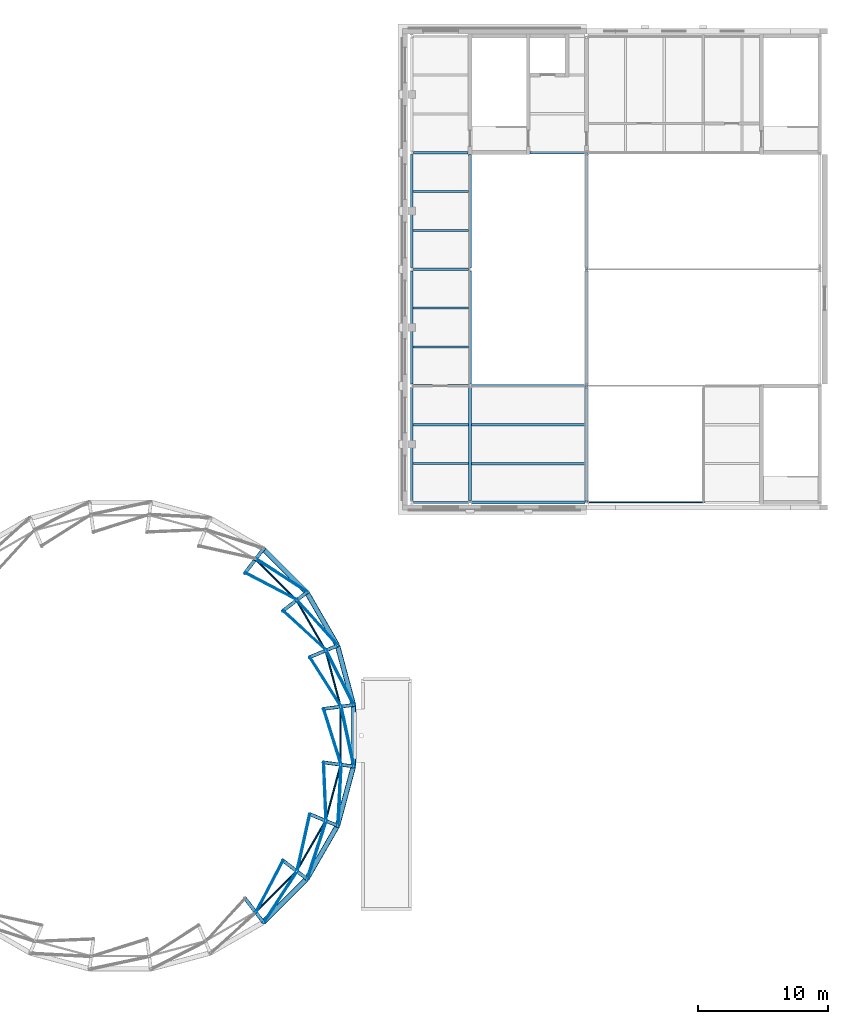
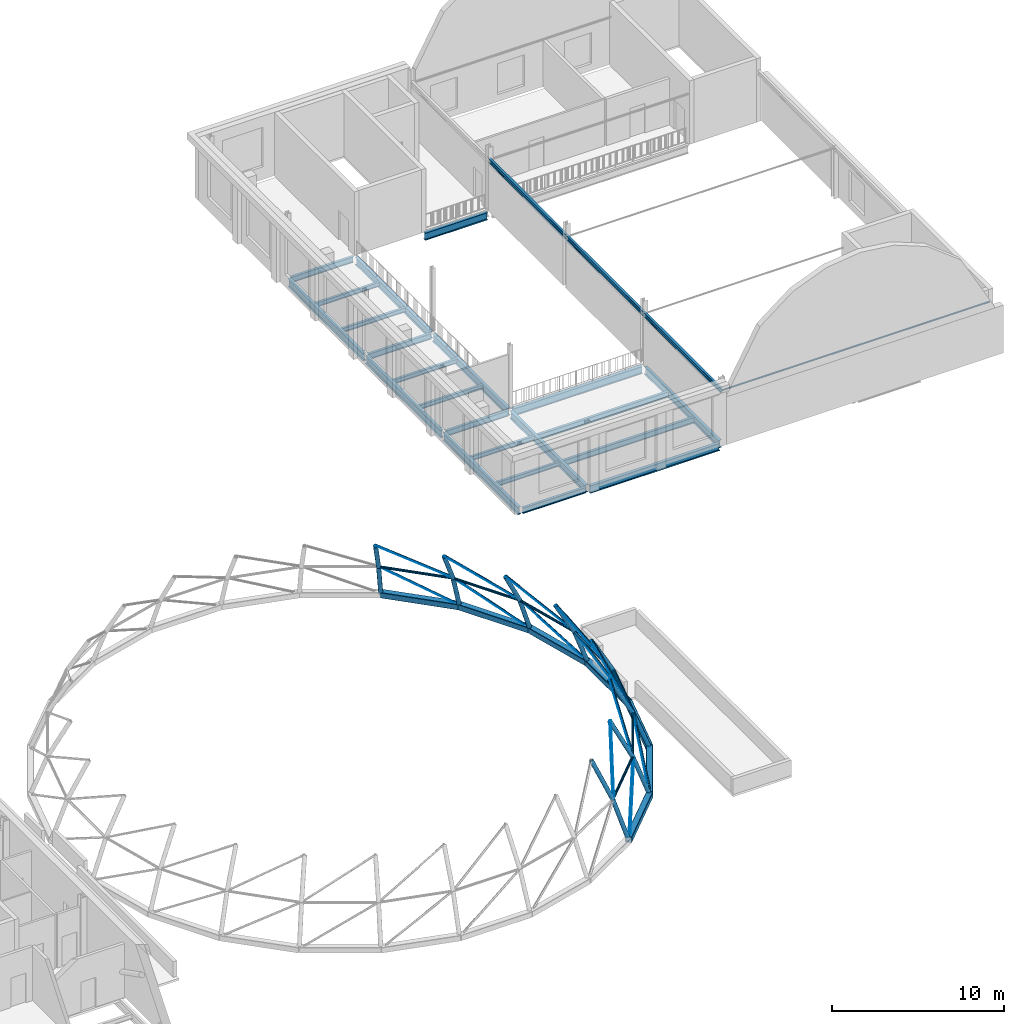
# One storey, part 13 of 59: 48 beams, 36 members.
"""IFC4 building model written with IfcOpenShell, lengths in metres."""

from ifc_helpers import new_model, si_unit, direction, frame, origin, origin_2d, place, context, subcontext, project, spatial, rectangle, hollow_rectangle, circle, hollow_circle, i_section, extrude, material, material_profile, profile_set, type_object, element, save


model = new_model("IFC4")

# Units and contexts
model_context = context("Model", 3, precision=1e-05, world=origin(), true_north=direction((0.0, 1.0)))
body_context = subcontext(model_context, "Body", "Model", "MODEL_VIEW")
ifc_project = project(units=[si_unit("LENGTHUNIT", "METRE"), si_unit("AREAUNIT", "SQUARE_METRE"), si_unit("VOLUMEUNIT", "CUBIC_METRE"), si_unit("PLANEANGLEUNIT", "RADIAN"), si_unit("MASSUNIT", "GRAM", prefix="KILO")], contexts=[model_context])

# Site, building, storey
site_placement = place(None, origin())
site = spatial("IfcSite", under=ifc_project, at=site_placement, CompositionType="ELEMENT")
building_placement = place(site_placement, origin())
building = spatial("IfcBuilding", under=site, at=building_placement, Name="Hortulan Conservatory and Botanical Research Centre", CompositionType="ELEMENT")
storey_placement = place(building_placement, frame((0.0, 0.0, 10.5)))
storey = spatial("IfcBuildingStorey", under=building, at=storey_placement, Name="L02", CompositionType="ELEMENT", Elevation=10.5)

# Members
ifc_material_1 = material(Name="Steel Grade 300PLUS (AS/NZS 3679.1, 280 MPa minimum yield)", Category="steel")
ifc_material_profile_1 = material_profile(ifc_material_1, circle(Radius=0.011962890625, at=origin_2d()), Name="24 dia rod")
ifc_profile_set_1 = profile_set([ifc_material_profile_1], Name="Steel Grade 300PLUS (AS/NZS 3679.1, 280 MPa minimum yield)")
member_type_1 = type_object("IfcMemberType", Name="Dome Diagonal Rod 24 dia rod", PredefinedType="BRACE", material=ifc_profile_set_1)
member_1_placement = place(storey_placement, frame((72.0, 20.36962890625, 0.0), z_axis=(-0.39838537354, 0.780299916715, 0.482100751009), x_axis=(-0.89063561178, -0.45471772236, 0.0)))
element("IfcMember", 1, at=member_1_placement, inside=storey, type_object=member_type_1, Name="Dome diagonal rod row 1 panel 01", PredefinedType="BRACE", context=body_context, shape_type="SweptSolid", body=[
    extrude(circle(Radius=0.011962890625, at=origin_2d()), origin(), (0.0, 0.0, 1.0), 5.380615234375),
])
for number, where, z_axis, x_axis, name in (
    (2, (70.773193359375, 24.94775390625, 0.0), (-0.586755497323, 0.650599359727, 0.482118719284), (-0.742603562999, -0.669731250742, 0.0), "Dome diagonal rod row 1 panel 02"),
    (3, (68.403564453125, 29.05224609375, 0.0), (-0.735153241403, 0.476549555041, 0.482130929567), (-0.543944758675, -0.839121027927, 0.0), "Dome diagonal rod row 1 panel 03"),
    (4, (65.05224609375, 3.596435546875, 0.0), (0.476549555041, 0.735153241403, 0.482130929567), (-0.839121027927, 0.543944758675, 0.0), "Dome diagonal rod row 1 panel 21"),
    (5, (68.403564453125, 6.94775390625, 0.0), (0.27003961921, 0.833442729967, 0.482132575048), (-0.95131192214, 0.308229827879, 0.0), "Dome diagonal rod row 1 panel 22"),
    (6, (70.773193359375, 11.05224609375, 0.0), (0.045149160701, 0.874940820745, 0.482120434624), (-0.998671242499, 0.051533963608, 0.0), "Dome diagonal rod row 1 panel 23"),
    (7, (72.0, 15.63037109375, 0.0), (-0.182868217021, 0.856803393002, 0.482127743388), (-0.977973386326, -0.208729623286, 0.0), "Dome diagonal rod row 1 panel 24"),
):
    element("IfcMember", number, at=place(storey_placement, frame(where, z_axis=z_axis, x_axis=x_axis)), inside=storey, type_object=member_type_1, Name=name, PredefinedType="BRACE", context=body_context, shape_type="SweptSolid", body=[
        extrude(circle(Radius=0.011962890625, at=origin_2d()), origin(), (0.0, 0.0, 1.0), 5.38037109375),
    ])
for number, where, z_axis, x_axis, name in (
    (8, (71.01611328125, 20.240234375, 2.593994140625), (-0.472131619445, 0.743829104226, 0.473085613422), (-0.844285139038, -0.535894209709, 0.0), "Dome diagonal rod row 2 panel 01"),
    (9, (69.8564453125, 24.568115234375, 2.593994140625), (-0.648583748703, 0.596256296153, 0.47309359562), (-0.676785536131, -0.736180234782, 0.0), "Dome diagonal rod row 2 panel 02"),
    (10, (67.6162109375, 28.4482421875, 2.593994140625), (-0.78080618984, 0.408076055598, 0.473091562761), (-0.463189456701, -0.886259288922, 0.0), "Dome diagonal rod row 2 panel 03"),
    (11, (64.4482421875, 4.3837890625, 2.593994140625), (0.408076055598, 0.78080618984, 0.473091562761), (-0.886259288922, 0.463189456701, 0.0), "Dome diagonal rod row 2 panel 21"),
):
    element("IfcMember", number, at=place(storey_placement, frame(where, z_axis=z_axis, x_axis=x_axis)), inside=storey, type_object=member_type_1, Name=name, PredefinedType="BRACE", context=body_context, shape_type="SweptSolid", body=[
        extrude(circle(Radius=0.011962890625, at=origin_2d()), origin(), (0.0, 0.0, 1.0), 5.1181640625),
    ])
member_2_placement = place(storey_placement, frame((67.6162109375, 7.5517578125, 2.593994140625), z_axis=(0.192130404694, 0.859816950102, 0.473075807784), x_axis=(-0.975931609415, 0.218076806986, 0.0)))
element("IfcMember", 12, at=member_2_placement, inside=storey, type_object=member_type_1, Name="Dome diagonal rod row 2 panel 22", PredefinedType="BRACE", context=body_context, shape_type="SweptSolid", body=[
    extrude(circle(Radius=0.011962890625, at=origin_2d()), origin(), (0.0, 0.0, 1.0), 5.118408203125),
])
member_3_placement = place(storey_placement, frame((69.8564453125, 11.431884765625, 2.593994140625), z_axis=(-0.036965399101, 0.880253471503, 0.473061713919), x_axis=(-0.999119414833, -0.041957060227, 0.0)))
element("IfcMember", 13, at=member_3_placement, inside=storey, type_object=member_type_1, Name="Dome diagonal rod row 2 panel 23", PredefinedType="BRACE", context=body_context, shape_type="SweptSolid", body=[
    extrude(circle(Radius=0.011962890625, at=origin_2d()), origin(), (0.0, 0.0, 1.0), 5.11865234375),
])
member_4_placement = place(storey_placement, frame((71.01611328125, 15.759765625, 2.593994140625), z_axis=(-0.263544505751, 0.840671198072, 0.473092200549), x_axis=(-0.954209837917, -0.2991380705, 0.0)))
element("IfcMember", 14, at=member_4_placement, inside=storey, type_object=member_type_1, Name="Dome diagonal rod row 2 panel 24", PredefinedType="BRACE", context=body_context, shape_type="SweptSolid", body=[
    extrude(circle(Radius=0.011962890625, at=origin_2d()), origin(), (0.0, 0.0, 1.0), 5.1181640625),
])
ifc_material_2 = material(Name="Bronze-finished aluminium", Category="aluminium")
ifc_material_profile_2 = material_profile(ifc_material_2, rectangle(XDim=0.050048828125, YDim=0.050048828125, at=origin_2d()), Name="Square bar 50x50")
ifc_profile_set_2 = profile_set([ifc_material_profile_2], Name="Bronze-finished aluminium")
member_type_2 = type_object("IfcMemberType", Name="Dome Glazing Bar 50x50", PredefinedType="MEMBER", material=ifc_profile_set_2)
for number, where, z_axis, x_axis, name in (
    (15, (72.079833984375, 20.380126953125, 0.024169921875), (-0.39834582961, 0.78029343557, 0.482143914655), (-0.890652361373, -0.454684914177, 0.0), "Dome glazing bar row 1 panel 01"),
    (16, (70.847900390625, 24.978515625, 0.024169921875), (-0.586756472413, 0.650586397389, 0.482135024256), (-0.742596373019, -0.669739222965, 0.0), "Dome glazing bar row 1 panel 02"),
):
    element("IfcMember", number, at=place(storey_placement, frame(where, z_axis=z_axis, x_axis=x_axis)), inside=storey, type_object=member_type_2, Name=name, PredefinedType="MEMBER", context=body_context, shape_type="SweptSolid", body=[
        extrude(rectangle(XDim=0.050048828125, YDim=0.050048828125, at=origin_2d()), origin(), (0.0, 0.0, 1.0), 5.404541015625),
    ])
for number, where, z_axis, x_axis, name in (
    (17, (68.467529296875, 29.101318359375, 0.024169921875), (-0.735135560286, 0.476552880566, 0.48215460179), (-0.54395664315, -0.839113323916, 0.0), "Dome glazing bar row 1 panel 03"),
    (18, (65.101318359375, 3.532470703125, 0.024169921875), (0.476552880566, 0.735135560286, 0.48215460179), (-0.839113323916, 0.54395664315, 0.0), "Dome glazing bar row 1 panel 21"),
    (19, (68.467529296875, 6.898681640625, 0.024169921875), (0.270054374867, 0.833428096674, 0.482149605713), (-0.951305396403, 0.308249968004, 0.0), "Dome glazing bar row 1 panel 22"),
):
    element("IfcMember", number, at=place(storey_placement, frame(where, z_axis=z_axis, x_axis=x_axis)), inside=storey, type_object=member_type_2, Name=name, PredefinedType="MEMBER", context=body_context, shape_type="SweptSolid", body=[
        extrude(rectangle(XDim=0.050048828125, YDim=0.050048828125, at=origin_2d()), origin(), (0.0, 0.0, 1.0), 5.404296875),
    ])
member_5_placement = place(storey_placement, frame((70.847900390625, 11.021484375, 0.024169921875), z_axis=(0.045128821976, 0.874929953977, 0.482142059004), x_axis=(-0.998672404089, 0.051511448352, 0.0)))
element("IfcMember", 20, at=member_5_placement, inside=storey, type_object=member_type_2, Name="Dome glazing bar row 1 panel 23", PredefinedType="MEMBER", context=body_context, shape_type="SweptSolid", body=[
    extrude(rectangle(XDim=0.050048828125, YDim=0.050048828125, at=origin_2d()), origin(), (0.0, 0.0, 1.0), 5.404541015625),
])
member_6_placement = place(storey_placement, frame((72.079833984375, 15.619873046875, 0.024169921875), z_axis=(-0.182831845963, 0.856784274449, 0.482175510741), x_axis=(-0.977980909638, -0.208694370752, 0.0)))
element("IfcMember", 21, at=member_6_placement, inside=storey, type_object=member_type_2, Name="Dome glazing bar row 1 panel 24", PredefinedType="MEMBER", context=body_context, shape_type="SweptSolid", body=[
    extrude(rectangle(XDim=0.050048828125, YDim=0.050048828125, at=origin_2d()), origin(), (0.0, 0.0, 1.0), 5.404052734375),
])
for number, where, z_axis, x_axis, name in (
    (22, (71.088134765625, 20.249755859375, 2.628173828125), (-0.472145960158, 0.74384363542, 0.473048452436), (-0.844282511085, -0.535898349948, 0.0), "Dome glazing bar row 2 panel 01"),
    (23, (69.923583984375, 24.595703125, 2.628173828125), (-0.648590311412, 0.596294600473, 0.473036317199), (-0.676805386998, -0.736161984981, 0.0), "Dome glazing bar row 2 panel 02"),
):
    element("IfcMember", number, at=place(storey_placement, frame(where, z_axis=z_axis, x_axis=x_axis)), inside=storey, type_object=member_type_2, Name=name, PredefinedType="MEMBER", context=body_context, shape_type="SweptSolid", body=[
        extrude(rectangle(XDim=0.050048828125, YDim=0.050048828125, at=origin_2d()), origin(), (0.0, 0.0, 1.0), 5.139892578125),
    ])
for number, where, z_axis, x_axis, name in (
    (24, (67.673828125, 28.492431640625, 2.628173828125), (-0.780821287697, 0.408081012447, 0.473062367939), (-0.463186841148, -0.886260655895, 0.0), "Dome glazing bar row 2 panel 03"),
    (25, (64.492431640625, 4.326171875, 2.628173828125), (0.408081012447, 0.780821287697, 0.473062367939), (-0.886260655895, 0.463186841148, 0.0), "Dome glazing bar row 2 panel 21"),
):
    element("IfcMember", number, at=place(storey_placement, frame(where, z_axis=z_axis, x_axis=x_axis)), inside=storey, type_object=member_type_2, Name=name, PredefinedType="MEMBER", context=body_context, shape_type="SweptSolid", body=[
        extrude(rectangle(XDim=0.050048828125, YDim=0.050048828125, at=origin_2d()), origin(), (0.0, 0.0, 1.0), 5.1396484375),
    ])
for number, where, z_axis, x_axis, name in (
    (26, (67.673828125, 7.507568359375, 2.628173828125), (0.192134722647, 0.859832570914, 0.473045662012), (-0.975931409542, 0.218077701447, 0.0), "Dome glazing bar row 2 panel 22"),
    (27, (69.923583984375, 11.404296875, 2.628173828125), (-0.037002072154, 0.880259821763, 0.473047030269), (-0.999117681751, -0.041998309631, 0.0), "Dome glazing bar row 2 panel 23"),
    (28, (71.088134765625, 15.750244140625, 2.628173828125), (-0.263573222272, 0.840688855828, 0.4730448226), (-0.954202327411, -0.29916202694, 0.0), "Dome glazing bar row 2 panel 24"),
):
    element("IfcMember", number, at=place(storey_placement, frame(where, z_axis=z_axis, x_axis=x_axis)), inside=storey, type_object=member_type_2, Name=name, PredefinedType="MEMBER", context=body_context, shape_type="SweptSolid", body=[
        extrude(rectangle(XDim=0.050048828125, YDim=0.050048828125, at=origin_2d()), origin(), (0.0, 0.0, 1.0), 5.139892578125),
    ])

# Beams
ifc_material_3 = material(Name="Steel Grade C350L0 (350 MPa, AS/NZS 1163)", Category="steel")
ifc_material_profile_3 = material_profile(ifc_material_3, hollow_circle(Radius=0.136474609375, WallThickness=0.00927734375, at=origin_2d()), Name="273.1x9.3CHS")
ifc_profile_set_3 = profile_set([ifc_material_profile_3], Name="Steel Grade C350L0 (350 MPa, AS/NZS 1163)")
beam_type_1 = type_object("IfcBeamType", Name="Dome Rib 273.1x9.3 CHS", PredefinedType="BEAM", material=ifc_profile_set_3)
for number, where, z_axis, x_axis, name in (
    (29, (72.0, 20.36962890625, 0.0), (-0.354255872662, -0.046589482013, 0.933987257328), (0.13039087187, -0.991462667241, 0.0), "Dome rib 01 segment 1"),
    (30, (71.01611328125, 20.240234375, 2.593994140625), (-0.485654782954, -0.063992159636, 0.871805273727), (0.130635542827, -0.991430458958, 0.0), "Dome rib 01 segment 2"),
    (31, (70.773193359375, 24.94775390625, 0.0), (-0.330086867344, -0.136693762642, 0.934000789754), (0.382605320631, -0.923911883582, 0.0), "Dome rib 02 segment 1"),
    (32, (69.8564453125, 24.568115234375, 2.593994140625), (-0.452523006993, -0.187496420729, 0.871818800185), (0.382779713358, -0.923839645741, 0.0), "Dome rib 02 segment 2"),
    (33, (68.403564453125, 29.05224609375, 0.0), (-0.283493149372, -0.217476605131, 0.933989058009), (0.608663940733, -0.793428136161, 0.0), "Dome rib 03 segment 1"),
    (34, (67.6162109375, 28.4482421875, 2.593994140625), (-0.388608603448, -0.298246774824, 0.871798264872), (0.608834542375, -0.793297233079, 0.0), "Dome rib 03 segment 2"),
    (35, (65.05224609375, 32.403564453125, 0.0), (-0.217476605131, -0.283493149372, 0.933989058009), (0.793428136161, -0.608663940733, 0.0), "Dome rib 04 segment 1"),
    (36, (64.4482421875, 31.6162109375, 2.593994140625), (-0.298246774824, -0.388608603448, 0.871798264872), (0.793297233079, -0.608834542375, 0.0), "Dome rib 04 segment 2"),
    (37, (65.05224609375, 3.596435546875, 0.0), (-0.217476605131, 0.283493149372, 0.933989058009), (-0.793428136161, -0.608663940733, 0.0), "Dome rib 21 segment 1"),
    (38, (64.4482421875, 4.3837890625, 2.593994140625), (-0.298246774824, 0.388608603448, 0.871798264872), (-0.793297233079, -0.608834542375, 0.0), "Dome rib 21 segment 2"),
    (39, (68.403564453125, 6.94775390625, 0.0), (-0.283493149372, 0.217476605131, 0.933989058009), (-0.608663940733, -0.793428136161, 0.0), "Dome rib 22 segment 1"),
    (40, (67.6162109375, 7.5517578125, 2.593994140625), (-0.388608603448, 0.298246774824, 0.871798264872), (-0.608834542375, -0.793297233079, 0.0), "Dome rib 22 segment 2"),
    (41, (70.773193359375, 11.05224609375, 0.0), (-0.330086867344, 0.136693762642, 0.934000789754), (-0.382605320631, -0.923911883582, 0.0), "Dome rib 23 segment 1"),
    (42, (69.8564453125, 11.431884765625, 2.593994140625), (-0.452523006993, 0.187496420729, 0.871818800185), (-0.382779713358, -0.923839645741, 0.0), "Dome rib 23 segment 2"),
    (43, (72.0, 15.63037109375, 0.0), (-0.354255872662, 0.046589482013, 0.933987257328), (-0.13039087187, -0.991462667241, 0.0), "Dome rib 24 segment 1"),
    (44, (71.01611328125, 15.759765625, 2.593994140625), (-0.485654782954, 0.063992159636, 0.871805273727), (-0.130635542827, -0.991430458958, 0.0), "Dome rib 24 segment 2"),
):
    element("IfcBeam", number, at=place(storey_placement, frame(where, z_axis=z_axis, x_axis=x_axis)), inside=storey, type_object=beam_type_1, Name=name, PredefinedType="BEAM", context=body_context, shape_type="SweptSolid", body=[
        extrude(hollow_circle(Radius=0.136474609375, WallThickness=0.00927734375, at=origin_2d()), origin(), (0.0, 0.0, 1.0), 2.77734375),
    ])

# Members
ifc_material_profile_4 = material_profile(ifc_material_3, hollow_circle(Radius=0.084228515625, WallThickness=0.00634765625, at=origin_2d()), Name="168.3x6.4CHS")
ifc_profile_set_4 = profile_set([ifc_material_profile_4], Name="Steel Grade C350L0 (350 MPa, AS/NZS 1163)")
member_type_3 = type_object("IfcMemberType", Name="Dome Ring 168.3x6.4 CHS", PredefinedType="PURLIN", material=ifc_profile_set_4)
for number, where, z_axis, x_axis, name in (
    (45, (71.01611328125, 20.240234375, 2.593994140625), (-0.258822332634, 0.965924945392, 0.0), (-0.965924945392, -0.258822332634, 0.0), "Dome ring 1 chord 01"),
    (46, (69.8564453125, 24.568115234375, 2.593994140625), (-0.500007036309, 0.866021341331, 0.0), (-0.866021341331, -0.500007036309, 0.0), "Dome ring 1 chord 02"),
):
    element("IfcMember", number, at=place(storey_placement, frame(where, z_axis=z_axis, x_axis=x_axis)), inside=storey, type_object=member_type_3, Name=name, PredefinedType="PURLIN", context=body_context, shape_type="SweptSolid", body=[
        extrude(hollow_circle(Radius=0.084228515625, WallThickness=0.00634765625, at=origin_2d()), origin(), (0.0, 0.0, 1.0), 4.48046875),
    ])
for number, where, z_axis, x_axis, name in (
    (47, (67.6162109375, 28.4482421875, 2.593994140625), (-0.707106781187, 0.707106781187, 0.0), (-0.707106781187, -0.707106781187, 0.0), "Dome ring 1 chord 03"),
    (48, (64.4482421875, 4.3837890625, 2.593994140625), (0.707106781187, 0.707106781187, 0.0), (-0.707106781187, 0.707106781187, 0.0), "Dome ring 1 chord 21"),
):
    element("IfcMember", number, at=place(storey_placement, frame(where, z_axis=z_axis, x_axis=x_axis)), inside=storey, type_object=member_type_3, Name=name, PredefinedType="PURLIN", context=body_context, shape_type="SweptSolid", body=[
        extrude(hollow_circle(Radius=0.084228515625, WallThickness=0.00634765625, at=origin_2d()), origin(), (0.0, 0.0, 1.0), 4.480224609375),
    ])
for number, where, z_axis, x_axis, name in (
    (49, (67.6162109375, 7.5517578125, 2.593994140625), (0.500007036309, 0.866021341331, 0.0), (-0.866021341331, 0.500007036309, 0.0), "Dome ring 1 chord 22"),
    (50, (69.8564453125, 11.431884765625, 2.593994140625), (0.258822332634, 0.965924945392, 0.0), (-0.965924945392, 0.258822332634, 0.0), "Dome ring 1 chord 23"),
    (51, (71.01611328125, 15.759765625, 2.593994140625), (0.0, 1.0, 0.0), (-1.0, 0.0, 0.0), "Dome ring 1 chord 24"),
):
    element("IfcMember", number, at=place(storey_placement, frame(where, z_axis=z_axis, x_axis=x_axis)), inside=storey, type_object=member_type_3, Name=name, PredefinedType="PURLIN", context=body_context, shape_type="SweptSolid", body=[
        extrude(hollow_circle(Radius=0.084228515625, WallThickness=0.00634765625, at=origin_2d()), origin(), (0.0, 0.0, 1.0), 4.48046875),
    ])

# Beams
ifc_material_4 = material(Name="Steel Grade C450L0 (450 MPa, AS/NZS 1163)", Category="steel")
ifc_material_profile_5 = material_profile(ifc_material_4, hollow_rectangle(XDim=0.39990234375, YDim=0.39990234375, WallThickness=0.01611328125, InnerFilletRadius=0.02392578125, OuterFilletRadius=0.0400390625, at=origin_2d()), Name="400x400x16SHS")
ifc_profile_set_5 = profile_set([ifc_material_profile_5], Name="Steel Grade C450L0 (450 MPa, AS/NZS 1163)")
beam_type_2 = type_object("IfcBeamType", Name="Dome Ring Beam 400x400x16 SHS", PredefinedType="BEAM", material=ifc_profile_set_5)
beam_1_placement = place(storey_placement, frame((72.0, 20.36962890625, 0.0), z_axis=(-0.258839073629, 0.965920459439, 0.0), x_axis=(-0.965920459439, -0.258839073629, 0.0)))
element("IfcBeam", 52, at=beam_1_placement, inside=storey, type_object=beam_type_2, Name="Dome ring beam chord 01", PredefinedType="BEAM", context=body_context, shape_type="SweptSolid", body=[
    extrude(hollow_rectangle(XDim=0.39990234375, YDim=0.39990234375, WallThickness=0.01611328125, InnerFilletRadius=0.02392578125, OuterFilletRadius=0.0400390625, at=origin_2d()), origin(), (0.0, 0.0, 1.0), 4.73974609375),
])
for number, where, z_axis, x_axis, name in (
    (53, (70.773193359375, 24.94775390625, 0.0), (-0.4999840544, 0.866034609785, 0.0), (-0.866034609785, -0.4999840544, 0.0), "Dome ring beam chord 02"),
    (54, (68.403564453125, 29.05224609375, 0.0), (-0.707106781187, 0.707106781187, 0.0), (-0.707106781187, -0.707106781187, 0.0), "Dome ring beam chord 03"),
    (55, (65.05224609375, 3.596435546875, 0.0), (0.707106781187, 0.707106781187, 0.0), (-0.707106781187, 0.707106781187, 0.0), "Dome ring beam chord 21"),
    (56, (68.403564453125, 6.94775390625, 0.0), (0.4999840544, 0.866034609785, 0.0), (-0.866034609785, 0.4999840544, 0.0), "Dome ring beam chord 22"),
):
    element("IfcBeam", number, at=place(storey_placement, frame(where, z_axis=z_axis, x_axis=x_axis)), inside=storey, type_object=beam_type_2, Name=name, PredefinedType="BEAM", context=body_context, shape_type="SweptSolid", body=[
        extrude(hollow_rectangle(XDim=0.39990234375, YDim=0.39990234375, WallThickness=0.01611328125, InnerFilletRadius=0.02392578125, OuterFilletRadius=0.0400390625, at=origin_2d()), origin(), (0.0, 0.0, 1.0), 4.739501953125),
    ])
beam_2_placement = place(storey_placement, frame((70.773193359375, 11.05224609375, 0.0), z_axis=(0.258839073629, 0.965920459439, 0.0), x_axis=(-0.965920459439, 0.258839073629, 0.0)))
element("IfcBeam", 57, at=beam_2_placement, inside=storey, type_object=beam_type_2, Name="Dome ring beam chord 23", PredefinedType="BEAM", context=body_context, shape_type="SweptSolid", body=[
    extrude(hollow_rectangle(XDim=0.39990234375, YDim=0.39990234375, WallThickness=0.01611328125, InnerFilletRadius=0.02392578125, OuterFilletRadius=0.0400390625, at=origin_2d()), origin(), (0.0, 0.0, 1.0), 4.73974609375),
])
beam_3_placement = place(storey_placement, frame((72.0, 15.63037109375, 0.0), z_axis=(0.0, 1.0, 0.0), x_axis=(-1.0, 0.0, 0.0)))
element("IfcBeam", 58, at=beam_3_placement, inside=storey, type_object=beam_type_2, Name="Dome ring beam chord 24", PredefinedType="BEAM", context=body_context, shape_type="SweptSolid", body=[
    extrude(hollow_rectangle(XDim=0.39990234375, YDim=0.39990234375, WallThickness=0.01611328125, InnerFilletRadius=0.02392578125, OuterFilletRadius=0.0400390625, at=origin_2d()), origin(), (0.0, 0.0, 1.0), 4.7392578125),
])
ifc_material_profile_6 = material_profile(ifc_material_1, i_section(OverallWidth=0.177978515625, OverallDepth=0.403076171875, WebThickness=0.007568359375, FlangeThickness=0.010986328125, FilletRadius=0.011474609375, at=origin_2d()), Name="410UB53.7")
ifc_profile_set_6 = profile_set([ifc_material_profile_6], Name="Steel Grade 300PLUS (AS/NZS 3679.1, 280 MPa minimum yield)")
beam_type_3 = type_object("IfcBeamType", Name="Primary Beam 410UB53.7", PredefinedType="BEAM", material=ifc_profile_set_6)
beam_4_placement = place(storey_placement, frame((76.6279296875, 36.0, -0.33154296875), z_axis=(1.0, 0.0, 0.0), x_axis=(0.0, 1.0, 0.0)))
element("IfcBeam", 59, at=beam_4_placement, inside=storey, type_object=beam_type_3, Name="410UB53.7 girder", PredefinedType="BEAM", context=body_context, shape_type="SweptSolid", body=[
    extrude(i_section(OverallWidth=0.177978515625, OverallDepth=0.403076171875, WebThickness=0.007568359375, FlangeThickness=0.010986328125, FilletRadius=0.011474609375, at=origin_2d()), origin(), (0.0, 0.0, 1.0), 4.2421875),
])
for number, where, z_axis, x_axis, name in (
    (60, (76.6279296875, 45.0, -0.33154296875), (1.0, 0.0, 0.0), (0.0, 1.0, 0.0), "410UB53.7 girder"),
    (61, (76.6279296875, 54.0, -0.33154296875), (1.0, 0.0, 0.0), (0.0, 1.0, 0.0), "410UB53.7 girder"),
):
    element("IfcBeam", number, at=place(storey_placement, frame(where, z_axis=z_axis, x_axis=x_axis)), inside=storey, type_object=beam_type_3, Name=name, PredefinedType="BEAM", context=body_context, shape_type="SweptSolid", body=[
        extrude(i_section(OverallWidth=0.177978515625, OverallDepth=0.403076171875, WebThickness=0.007568359375, FlangeThickness=0.010986328125, FilletRadius=0.011474609375, at=origin_2d()), origin(), (0.0, 0.0, 1.0), 4.244140625),
    ])
beam_5_placement = place(storey_placement, frame((76.6279296875, 63.0, -0.33154296875), z_axis=(1.0, 0.0, 0.0), x_axis=(0.0, 1.0, 0.0)))
element("IfcBeam", 62, at=beam_5_placement, inside=storey, type_object=beam_type_3, Name="410UB53.7 girder", PredefinedType="BEAM", context=body_context, shape_type="SweptSolid", body=[
    extrude(i_section(OverallWidth=0.177978515625, OverallDepth=0.403076171875, WebThickness=0.007568359375, FlangeThickness=0.010986328125, FilletRadius=0.011474609375, at=origin_2d()), origin(), (0.0, 0.0, 1.0), 4.22216796875),
])
ifc_material_profile_7 = material_profile(ifc_material_1, i_section(OverallWidth=0.208984375, OverallDepth=0.528076171875, WebThickness=0.009521484375, FlangeThickness=0.01318359375, FilletRadius=0.013916015625, at=origin_2d()), Name="530UB82.0")
ifc_profile_set_7 = profile_set([ifc_material_profile_7], Name="Steel Grade 300PLUS (AS/NZS 3679.1, 280 MPa minimum yield)")
beam_type_4 = type_object("IfcBeamType", Name="Primary Beam 530UB82.0", PredefinedType="BEAM", material=ifc_profile_set_7)
for number, where, z_axis, x_axis, name in (
    (63, (76.5, 36.1298828125, -0.39404296875), (0.0, 1.0, 0.0), (-1.0, 0.0, 0.0), "530UB82.0 girder"),
    (64, (76.5, 45.1298828125, -0.39404296875), (0.0, 1.0, 0.0), (-1.0, 0.0, 0.0), "530UB82.0 girder"),
    (65, (76.5, 54.1298828125, -0.39404296875), (0.0, 1.0, 0.0), (-1.0, 0.0, 0.0), "530UB82.0 girder"),
):
    element("IfcBeam", number, at=place(storey_placement, frame(where, z_axis=z_axis, x_axis=x_axis)), inside=storey, type_object=beam_type_4, Name=name, PredefinedType="BEAM", context=body_context, shape_type="SweptSolid", body=[
        extrude(i_section(OverallWidth=0.208984375, OverallDepth=0.528076171875, WebThickness=0.009521484375, FlangeThickness=0.01318359375, FilletRadius=0.013916015625, at=origin_2d()), origin(), (0.0, 0.0, 1.0), 8.740234375),
    ])
beam_6_placement = place(storey_placement, frame((81.1298828125, 36.0, -0.39404296875), z_axis=(1.0, 0.0, 0.0), x_axis=(0.0, 1.0, 0.0)))
element("IfcBeam", 66, at=beam_6_placement, inside=storey, type_object=beam_type_4, Name="530UB82.0 girder", PredefinedType="BEAM", context=body_context, shape_type="SweptSolid", body=[
    extrude(i_section(OverallWidth=0.208984375, OverallDepth=0.528076171875, WebThickness=0.009521484375, FlangeThickness=0.01318359375, FilletRadius=0.013916015625, at=origin_2d()), origin(), (0.0, 0.0, 1.0), 8.709716796875),
])
beam_7_placement = place(storey_placement, frame((81.0, 45.1298828125, -0.39404296875), z_axis=(0.0, 1.0, 0.0), x_axis=(-1.0, 0.0, 0.0)))
element("IfcBeam", 67, at=beam_7_placement, inside=storey, type_object=beam_type_4, Name="530UB82.0 girder", PredefinedType="BEAM", context=body_context, shape_type="SweptSolid", body=[
    extrude(i_section(OverallWidth=0.208984375, OverallDepth=0.528076171875, WebThickness=0.009521484375, FlangeThickness=0.01318359375, FilletRadius=0.013916015625, at=origin_2d()), origin(), (0.0, 0.0, 1.0), 8.740234375),
])
beam_8_placement = place(storey_placement, frame((81.1279296875, 45.0, -0.39404296875), z_axis=(1.0, 0.0, 0.0), x_axis=(0.0, 1.0, 0.0)))
element("IfcBeam", 68, at=beam_8_placement, inside=storey, type_object=beam_type_4, Name="530UB82.0 girder", PredefinedType="BEAM", context=body_context, shape_type="SweptSolid", body=[
    extrude(i_section(OverallWidth=0.208984375, OverallDepth=0.528076171875, WebThickness=0.009521484375, FlangeThickness=0.01318359375, FilletRadius=0.013916015625, at=origin_2d()), origin(), (0.0, 0.0, 1.0), 8.717529296875),
])
beam_9_placement = place(storey_placement, frame((81.0, 54.1298828125, -0.39404296875), z_axis=(0.0, 1.0, 0.0), x_axis=(-1.0, 0.0, 0.0)))
element("IfcBeam", 69, at=beam_9_placement, inside=storey, type_object=beam_type_4, Name="530UB82.0 girder", PredefinedType="BEAM", context=body_context, shape_type="SweptSolid", body=[
    extrude(i_section(OverallWidth=0.208984375, OverallDepth=0.528076171875, WebThickness=0.009521484375, FlangeThickness=0.01318359375, FilletRadius=0.013916015625, at=origin_2d()), origin(), (0.0, 0.0, 1.0), 8.72021484375),
])
beam_10_placement = place(storey_placement, frame((85.64990234375, 63.0, -0.39404296875), z_axis=(1.0, 0.0, 0.0), x_axis=(0.0, 1.0, 0.0)))
element("IfcBeam", 70, at=beam_10_placement, inside=storey, type_object=beam_type_4, Name="530UB82.0 girder", PredefinedType="BEAM", context=body_context, shape_type="SweptSolid", body=[
    extrude(i_section(OverallWidth=0.208984375, OverallDepth=0.528076171875, WebThickness=0.009521484375, FlangeThickness=0.01318359375, FilletRadius=0.013916015625, at=origin_2d()), origin(), (0.0, 0.0, 1.0), 4.195556640625),
])
beam_11_placement = place(storey_placement, frame((90.0, 36.154541015625, -0.39404296875), z_axis=(0.0, 1.0, 0.0), x_axis=(-1.0, 0.0, 0.0)))
element("IfcBeam", 71, at=beam_11_placement, inside=storey, type_object=beam_type_4, Name="530UB82.0 girder", PredefinedType="BEAM", context=body_context, shape_type="SweptSolid", body=[
    extrude(i_section(OverallWidth=0.208984375, OverallDepth=0.528076171875, WebThickness=0.009521484375, FlangeThickness=0.01318359375, FilletRadius=0.013916015625, at=origin_2d()), origin(), (0.0, 0.0, 1.0), 8.68505859375),
])
ifc_material_profile_8 = material_profile(ifc_material_1, i_section(OverallWidth=0.208984375, OverallDepth=0.532958984375, WebThickness=0.01025390625, FlangeThickness=0.015625, FilletRadius=0.013916015625, at=origin_2d()), Name="530UB92.4")
ifc_profile_set_8 = profile_set([ifc_material_profile_8], Name="Steel Grade 300PLUS (AS/NZS 3679.1, 280 MPa minimum yield)")
beam_type_5 = type_object("IfcBeamType", Name="Primary Beam 530UB92.4", PredefinedType="BEAM", material=ifc_profile_set_8)
beam_12_placement = place(storey_placement, frame((81.0, 36.1279296875, -0.396484375), z_axis=(0.0, 1.0, 0.0), x_axis=(-1.0, 0.0, 0.0)))
element("IfcBeam", 72, at=beam_12_placement, inside=storey, type_object=beam_type_5, Name="530UB92.4 girder", PredefinedType="BEAM", context=body_context, shape_type="SweptSolid", body=[
    extrude(i_section(OverallWidth=0.208984375, OverallDepth=0.532958984375, WebThickness=0.01025390625, FlangeThickness=0.015625, FilletRadius=0.013916015625, at=origin_2d()), origin(), (0.0, 0.0, 1.0), 8.7421875),
])
ifc_material_profile_9 = material_profile(ifc_material_1, i_section(OverallWidth=0.1650390625, OverallDepth=0.303955078125, WebThickness=0.006103515625, FlangeThickness=0.01025390625, FilletRadius=0.011474609375, at=origin_2d()), Name="310UB40.4")
ifc_profile_set_9 = profile_set([ifc_material_profile_9], Name="Steel Grade 300PLUS (AS/NZS 3679.1, 280 MPa minimum yield)")
beam_type_6 = type_object("IfcBeamType", Name="Secondary Beam 310UB40.4", PredefinedType="JOIST", material=ifc_profile_set_9)
for number, where, z_axis, x_axis, name in (
    (73, (76.6044921875, 39.0, -0.281982421875), (1.0, 0.0, 0.0), (0.0, 1.0, 0.0), "310UB40.4 secondary beam"),
    (74, (76.6044921875, 42.0, -0.281982421875), (1.0, 0.0, 0.0), (0.0, 1.0, 0.0), "310UB40.4 secondary beam"),
    (75, (76.6044921875, 48.0, -0.281982421875), (1.0, 0.0, 0.0), (0.0, 1.0, 0.0), "310UB40.4 secondary beam"),
    (76, (76.6044921875, 51.0, -0.281982421875), (1.0, 0.0, 0.0), (0.0, 1.0, 0.0), "310UB40.4 secondary beam"),
    (77, (76.6044921875, 57.0, -0.281982421875), (1.0, 0.0, 0.0), (0.0, 1.0, 0.0), "310UB40.4 secondary beam"),
    (78, (76.6044921875, 60.0, -0.281982421875), (1.0, 0.0, 0.0), (0.0, 1.0, 0.0), "310UB40.4 secondary beam"),
):
    element("IfcBeam", number, at=place(storey_placement, frame(where, z_axis=z_axis, x_axis=x_axis)), inside=storey, type_object=beam_type_6, Name=name, PredefinedType="JOIST", context=body_context, shape_type="SweptSolid", body=[
        extrude(i_section(OverallWidth=0.1650390625, OverallDepth=0.303955078125, WebThickness=0.006103515625, FlangeThickness=0.01025390625, FilletRadius=0.011474609375, at=origin_2d()), origin(), (0.0, 0.0, 1.0), 4.291015625),
    ])
ifc_material_profile_10 = material_profile(ifc_material_1, i_section(OverallWidth=0.177978515625, OverallDepth=0.406005859375, WebThickness=0.0078125, FlangeThickness=0.0126953125, FilletRadius=0.011474609375, at=origin_2d()), Name="410UB59.7")
ifc_profile_set_10 = profile_set([ifc_material_profile_10], Name="Steel Grade 300PLUS (AS/NZS 3679.1, 280 MPa minimum yield)")
beam_type_7 = type_object("IfcBeamType", Name="Secondary Beam 410UB59.7", PredefinedType="JOIST", material=ifc_profile_set_10)
for number, where, z_axis, x_axis, name in (
    (79, (81.1044921875, 39.0, -0.3330078125), (1.0, 0.0, 0.0), (0.0, 1.0, 0.0), "410UB59.7 secondary beam"),
    (80, (81.1044921875, 42.0, -0.3330078125), (1.0, 0.0, 0.0), (0.0, 1.0, 0.0), "410UB59.7 secondary beam"),
):
    element("IfcBeam", number, at=place(storey_placement, frame(where, z_axis=z_axis, x_axis=x_axis)), inside=storey, type_object=beam_type_7, Name=name, PredefinedType="JOIST", context=body_context, shape_type="SweptSolid", body=[
        extrude(i_section(OverallWidth=0.177978515625, OverallDepth=0.406005859375, WebThickness=0.0078125, FlangeThickness=0.0126953125, FilletRadius=0.011474609375, at=origin_2d()), origin(), (0.0, 0.0, 1.0), 8.791015625),
    ])
ifc_material_profile_11 = material_profile(ifc_material_1, i_section(OverallWidth=0.166015625, OverallDepth=0.306884765625, WebThickness=0.006591796875, FlangeThickness=0.01171875, FilletRadius=0.011474609375, at=origin_2d()), Name="310UB46.2")
ifc_profile_set_11 = profile_set([ifc_material_profile_11], Name="Steel Grade 300PLUS (AS/NZS 3679.1, 280 MPa minimum yield)")
beam_type_8 = type_object("IfcBeamType", Name="Vault Eaves Beam 310UB46.2", PredefinedType="BEAM", material=ifc_profile_set_11)
for number, where, z_axis, x_axis, name in (
    (81, (90.0, 36.0, 3.5), (0.0, 1.0, 0.0), (-1.0, 0.0, 0.0), "Vault eaves beam W bay 1"),
    (82, (90.0, 45.0, 3.5), (0.0, 1.0, 0.0), (-1.0, 0.0, 0.0), "Vault eaves beam W bay 2"),
    (83, (90.0, 54.0, 3.5), (0.0, 1.0, 0.0), (-1.0, 0.0, 0.0), "Vault eaves beam W bay 3"),
):
    element("IfcBeam", number, at=place(storey_placement, frame(where, z_axis=z_axis, x_axis=x_axis)), inside=storey, type_object=beam_type_8, Name=name, PredefinedType="BEAM", context=body_context, shape_type="SweptSolid", body=[
        extrude(i_section(OverallWidth=0.166015625, OverallDepth=0.306884765625, WebThickness=0.006591796875, FlangeThickness=0.01171875, FilletRadius=0.011474609375, at=origin_2d()), origin(), (0.0, 0.0, 1.0), 9.0),
    ])

# Member
ifc_material_profile_12 = material_profile(ifc_material_3, hollow_circle(Radius=0.05712890625, WallThickness=0.00537109375, at=origin_2d()), Name="114.3x5.4CHS")
ifc_profile_set_12 = profile_set([ifc_material_profile_12], Name="Steel Grade C350L0 (350 MPa, AS/NZS 1163)")
member_type_4 = type_object("IfcMemberType", Name="Vault Tie 114.3x5.4 CHS", PredefinedType="STRUT", material=ifc_profile_set_12)
member_7_placement = place(storey_placement, frame((90.0, 36.0, 3.5), z_axis=(1.0, 0.0, 0.0), x_axis=(0.0, 1.0, 0.0)))
element("IfcMember", 84, at=member_7_placement, inside=storey, type_object=member_type_4, Name="Vault tie 1", PredefinedType="STRUT", context=body_context, shape_type="SweptSolid", body=[
    extrude(hollow_circle(Radius=0.05712890625, WallThickness=0.00537109375, at=origin_2d()), origin(), (0.0, 0.0, 1.0), 18.0),
])

save(model, "model.ifc")
